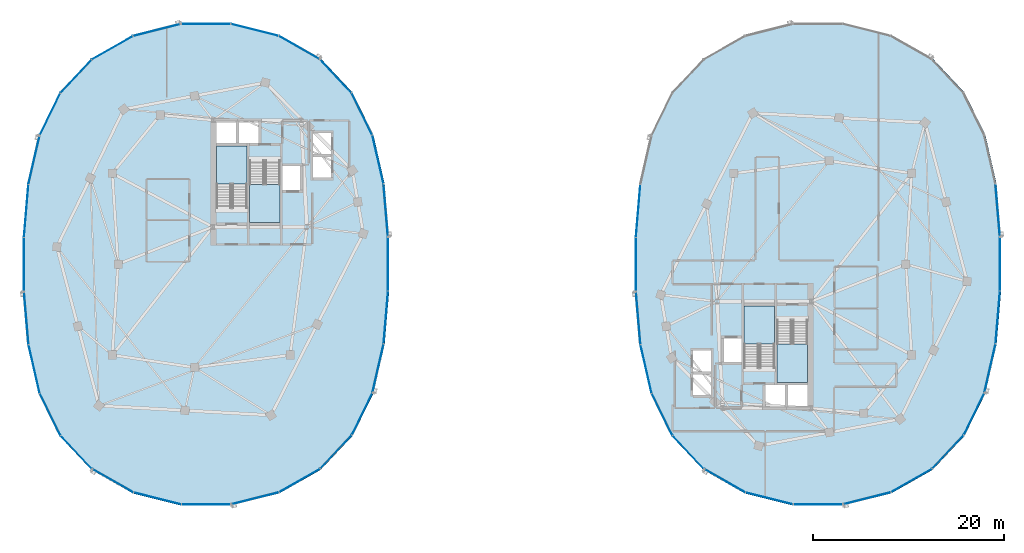
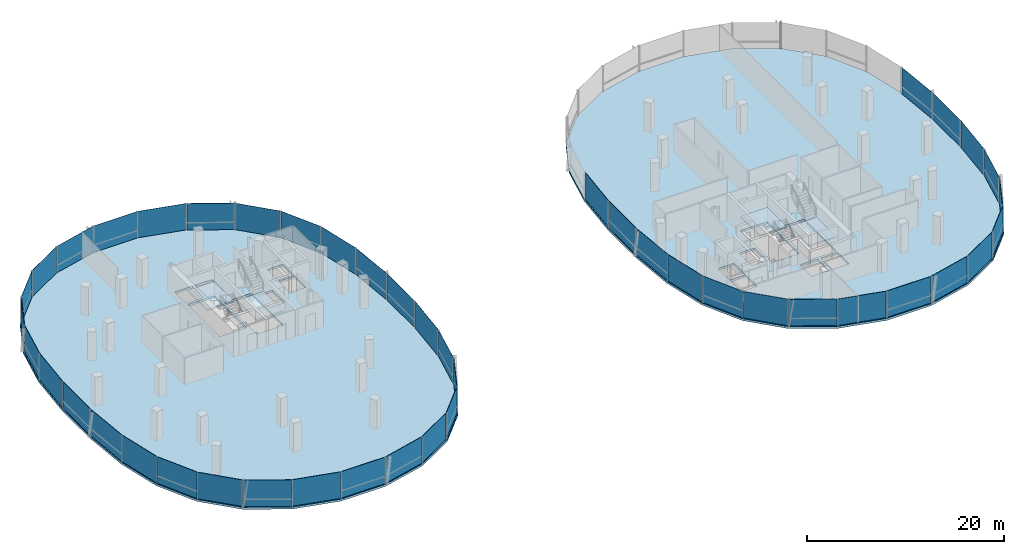
# One storey, part 13 of 24: 45 plates, 6 slabs, 12 elements without a shape of their own.
"""IFC4 building model written with IfcOpenShell, lengths in metres."""

from ifc_helpers import new_model, si_unit, direction, frame, origin, origin_2d, place, context, subcontext, project, spatial, polyline, rectangle, outline, extrude, material, layer, layer_set, type_object, element, aggregate, save


model = new_model("IFC4")

# Units and contexts
model_context = context("Model", 3, precision=1e-05, world=origin(), true_north=direction((0.0, 1.0)))
body_context = subcontext(model_context, "Body", "Model", "MODEL_VIEW")
ifc_project = project(units=[si_unit("LENGTHUNIT", "METRE"), si_unit("AREAUNIT", "SQUARE_METRE"), si_unit("VOLUMEUNIT", "CUBIC_METRE"), si_unit("PLANEANGLEUNIT", "RADIAN"), si_unit("MASSUNIT", "GRAM", prefix="KILO"), si_unit("THERMODYNAMICTEMPERATUREUNIT", "KELVIN"), si_unit("POWERUNIT", "WATT")], contexts=[model_context])

# Site, building, storey
site_placement = place(None, origin())
site = spatial("IfcSite", under=ifc_project, at=site_placement, CompositionType="ELEMENT")
building_placement = place(site_placement, origin())
building = spatial("IfcBuilding", under=site, at=building_placement, Name="Cundina Bronze Exchange", CompositionType="ELEMENT")
storey_placement = place(building_placement, frame((0.0, 0.0, 231.39990234375)))
storey = spatial("IfcBuildingStorey", under=building, at=storey_placement, Name="L61", CompositionType="ELEMENT", Elevation=231.39990234375)

# Curtain wall, plates
ifc_material_1 = material(Name="Anodised Bronze Aluminium 6063-T6", Category="aluminium")
curtain_wall_type = type_object("IfcCurtainWallType", Name="CWS-UPP-OFF", PredefinedType="NOTDEFINED", material=ifc_material_1)
curtain_wall_1_placement = place(storey_placement, origin())
curtain_wall_1 = element("IfcCurtainWall", 1, at=curtain_wall_1_placement, inside=storey, type_object=curtain_wall_type, Name="L61 CW-05 Curtain Wall Run CWR-L61-W1", PredefinedType="NOTDEFINED")
ifc_material_2 = material(Name="Heat-Strengthened Solar-Control Bronze Safety Glass 28mm", Category="glass")
ifc_layer_1 = layer(ifc_material_2, 0.028076171875, Name="Heat-Strengthened Solar-Control Bronze Safety Glass 28mm", Category="glass")
ifc_layer_set_1 = layer_set([ifc_layer_1], Name="Heat-Strengthened Solar-Control Bronze Safety Glass 28mm")
plate_type_1 = type_object("IfcPlateType", Name="PLT-GLZ-VIS28", PredefinedType="CURTAIN_PANEL", material=ifc_layer_set_1)
plate_1_placement = place(storey_placement, frame((-13.198486328125, 5.60693359375, 0.02001953125), z_axis=(0.0, 0.0, 1.0), x_axis=(-0.083747411454, 0.996487015006, 0.0)))
plate_1 = element("IfcPlate", 2, at=plate_1_placement, type_object=plate_type_1, Name="CW-05 Glazed Panel 1", PredefinedType="CURTAIN_PANEL", context=body_context, shape_type="SweptSolid", body=[
    extrude(rectangle(XDim=5.474609375, YDim=0.028076171875, at=origin_2d()), origin(), (0.0, 0.0, 1.0), 3.280029296875),
])
plate_2_placement = place(storey_placement, frame((-14.01611328125, 10.92578125, 0.02001953125), z_axis=(0.0, 0.0, 1.0), x_axis=(-0.223284141459, 0.974753400698, 0.0)))
plate_2 = element("IfcPlate", 3, at=plate_2_placement, type_object=plate_type_1, Name="CW-05 Glazed Panel 2", PredefinedType="CURTAIN_PANEL", context=body_context, shape_type="SweptSolid", body=[
    extrude(rectangle(XDim=5.167724609375, YDim=0.028076171875, at=origin_2d()), origin(), (0.0, 0.0, 1.0), 3.280029296875),
])
plate_3_placement = place(storey_placement, frame((-15.685302734375, 15.686767578125, 0.02001953125), z_axis=(0.0, 0.0, 1.0), x_axis=(-0.440503330345, 0.897750976582, 0.0)))
plate_3 = element("IfcPlate", 4, at=plate_3_placement, type_object=plate_type_1, Name="CW-05 Glazed Panel 3", PredefinedType="CURTAIN_PANEL", context=body_context, shape_type="SweptSolid", body=[
    extrude(rectangle(XDim=4.863525390625, YDim=0.028076171875, at=origin_2d()), origin(), (0.0, 0.0, 1.0), 3.280029296875),
])
plate_4_placement = place(storey_placement, frame((-22.230712890625, 22.64111328125, 0.02001953125), z_axis=(0.0, 0.0, 1.0), x_axis=(-0.869572506985, 0.493805280547, 0.0)))
plate_4 = element("IfcPlate", 5, at=plate_4_placement, type_object=plate_type_1, Name="CW-05 Glazed Panel 5", PredefinedType="CURTAIN_PANEL", context=body_context, shape_type="SweptSolid", body=[
    extrude(rectangle(XDim=4.907958984375, YDim=0.028076171875, at=origin_2d()), origin(), (0.0, 0.0, 1.0), 3.280029296875),
])
plate_5_placement = place(storey_placement, frame((-26.88720703125, 24.49609375, 0.02001953125), z_axis=(0.0, 0.0, 1.0), x_axis=(-0.969731542251, 0.244173577528, 0.0)))
plate_5 = element("IfcPlate", 6, at=plate_5_placement, type_object=plate_type_1, Name="CW-05 Glazed Panel 6", PredefinedType="CURTAIN_PANEL", context=body_context, shape_type="SweptSolid", body=[
    extrude(rectangle(XDim=5.0908203125, YDim=0.028076171875, at=origin_2d()), origin(), (0.0, 0.0, 1.0), 3.280029296875),
])
plate_6_placement = place(storey_placement, frame((-32.0, 25.125, 0.02001953125), z_axis=(0.0, 0.0, 1.0), x_axis=(-1.0, 0.0, 0.0)))
plate_6 = element("IfcPlate", 7, at=plate_6_placement, type_object=plate_type_1, Name="CW-05 Glazed Panel 7", PredefinedType="CURTAIN_PANEL", context=body_context, shape_type="SweptSolid", body=[
    extrude(rectangle(XDim=5.16796875, YDim=0.028076171875, at=origin_2d()), origin(), (0.0, 0.0, 1.0), 3.280029296875),
])

curtain_wall_2_placement = place(storey_placement, origin())
curtain_wall_2 = element("IfcCurtainWall", 8, at=curtain_wall_2_placement, inside=storey, type_object=curtain_wall_type, Name="L61 CW-05 Curtain Wall Run CWR-L61-W2", PredefinedType="NOTDEFINED")
plate_7_placement = place(storey_placement, frame((-37.11279296875, 24.49609375, 0.02001953125), z_axis=(0.0, 0.0, 1.0), x_axis=(-0.969731542251, -0.244173577528, 0.0)))
plate_7 = element("IfcPlate", 9, at=plate_7_placement, type_object=plate_type_1, Name="CW-05 Glazed Panel 1", PredefinedType="CURTAIN_PANEL", context=body_context, shape_type="SweptSolid", body=[
    extrude(rectangle(XDim=5.0908203125, YDim=0.028076171875, at=origin_2d()), origin(), (0.0, 0.0, 1.0), 3.280029296875),
])
plate_8_placement = place(storey_placement, frame((-41.769287109375, 22.64111328125, 0.02001953125), z_axis=(0.0, 0.0, 1.0), x_axis=(-0.869572506985, -0.493805280547, 0.0)))
plate_8 = element("IfcPlate", 10, at=plate_8_placement, type_object=plate_type_1, Name="CW-05 Glazed Panel 2", PredefinedType="CURTAIN_PANEL", context=body_context, shape_type="SweptSolid", body=[
    extrude(rectangle(XDim=4.907958984375, YDim=0.028076171875, at=origin_2d()), origin(), (0.0, 0.0, 1.0), 3.280029296875),
])
plate_9_placement = place(storey_placement, frame((-48.314697265625, 15.686767578125, 0.02001953125), z_axis=(0.0, 0.0, 1.0), x_axis=(-0.440503330345, -0.897750976582, 0.0)))
plate_9 = element("IfcPlate", 11, at=plate_9_placement, type_object=plate_type_1, Name="CW-05 Glazed Panel 4", PredefinedType="CURTAIN_PANEL", context=body_context, shape_type="SweptSolid", body=[
    extrude(rectangle(XDim=4.863525390625, YDim=0.028076171875, at=origin_2d()), origin(), (0.0, 0.0, 1.0), 3.280029296875),
])
plate_10_placement = place(storey_placement, frame((-49.98388671875, 10.92578125, 0.02001953125), z_axis=(0.0, 0.0, 1.0), x_axis=(-0.223284141459, -0.974753400698, 0.0)))
plate_10 = element("IfcPlate", 12, at=plate_10_placement, type_object=plate_type_1, Name="CW-05 Glazed Panel 5", PredefinedType="CURTAIN_PANEL", context=body_context, shape_type="SweptSolid", body=[
    extrude(rectangle(XDim=5.167724609375, YDim=0.028076171875, at=origin_2d()), origin(), (0.0, 0.0, 1.0), 3.280029296875),
])
plate_11_placement = place(storey_placement, frame((-50.801513671875, 5.60693359375, 0.02001953125), z_axis=(0.0, 0.0, 1.0), x_axis=(-0.083747411454, -0.996487015006, 0.0)))
plate_11 = element("IfcPlate", 13, at=plate_11_placement, type_object=plate_type_1, Name="CW-05 Glazed Panel 6", PredefinedType="CURTAIN_PANEL", context=body_context, shape_type="SweptSolid", body=[
    extrude(rectangle(XDim=5.474609375, YDim=0.028076171875, at=origin_2d()), origin(), (0.0, 0.0, 1.0), 3.280029296875),
])
plate_12_placement = place(storey_placement, frame((-51.033935546875, 0.0, 0.02001953125), z_axis=(0.0, 0.0, 1.0), x_axis=(0.0, -1.0, 0.0)))
plate_12 = element("IfcPlate", 14, at=plate_12_placement, type_object=plate_type_1, Name="CW-05 Glazed Panel 7", PredefinedType="CURTAIN_PANEL", context=body_context, shape_type="SweptSolid", body=[
    extrude(rectangle(XDim=5.597900390625, YDim=0.028076171875, at=origin_2d()), origin(), (0.0, 0.0, 1.0), 3.280029296875),
])

curtain_wall_3_placement = place(storey_placement, origin())
curtain_wall_3 = element("IfcCurtainWall", 15, at=curtain_wall_3_placement, inside=storey, type_object=curtain_wall_type, Name="L61 CW-05 Curtain Wall Run CWR-L61-W3", PredefinedType="NOTDEFINED")
plate_13_placement = place(storey_placement, frame((-50.801513671875, -5.60693359375, 0.02001953125), z_axis=(0.0, 0.0, 1.0), x_axis=(0.083747411454, -0.996487015006, 0.0)))
plate_13 = element("IfcPlate", 16, at=plate_13_placement, type_object=plate_type_1, Name="CW-05 Glazed Panel 1", PredefinedType="CURTAIN_PANEL", context=body_context, shape_type="SweptSolid", body=[
    extrude(rectangle(XDim=5.474609375, YDim=0.028076171875, at=origin_2d()), origin(), (0.0, 0.0, 1.0), 3.280029296875),
])
plate_14_placement = place(storey_placement, frame((-48.314697265625, -15.686767578125, 0.02001953125), z_axis=(0.0, 0.0, 1.0), x_axis=(0.440503330345, -0.897750976582, 0.0)))
plate_14 = element("IfcPlate", 17, at=plate_14_placement, type_object=plate_type_1, Name="CW-05 Glazed Panel 3", PredefinedType="CURTAIN_PANEL", context=body_context, shape_type="SweptSolid", body=[
    extrude(rectangle(XDim=4.863525390625, YDim=0.028076171875, at=origin_2d()), origin(), (0.0, 0.0, 1.0), 3.280029296875),
])
plate_15_placement = place(storey_placement, frame((-45.5791015625, -19.6552734375, 0.02001953125), z_axis=(0.0, 0.0, 1.0), x_axis=(0.684343512797, -0.72915976061, 0.0)))
plate_15 = element("IfcPlate", 18, at=plate_15_placement, type_object=plate_type_1, Name="CW-05 Glazed Panel 4", PredefinedType="CURTAIN_PANEL", context=body_context, shape_type="SweptSolid", body=[
    extrude(rectangle(XDim=4.773193359375, YDim=0.028076171875, at=origin_2d()), origin(), (0.0, 0.0, 1.0), 3.280029296875),
])
plate_16_placement = place(storey_placement, frame((-41.769287109375, -22.64111328125, 0.02001953125), z_axis=(0.0, 0.0, 1.0), x_axis=(0.869572506985, -0.493805280547, 0.0)))
plate_16 = element("IfcPlate", 19, at=plate_16_placement, type_object=plate_type_1, Name="CW-05 Glazed Panel 5", PredefinedType="CURTAIN_PANEL", context=body_context, shape_type="SweptSolid", body=[
    extrude(rectangle(XDim=4.907958984375, YDim=0.028076171875, at=origin_2d()), origin(), (0.0, 0.0, 1.0), 3.280029296875),
])
plate_17_placement = place(storey_placement, frame((-37.11279296875, -24.49609375, 0.02001953125), z_axis=(0.0, 0.0, 1.0), x_axis=(0.969731542251, -0.244173577528, 0.0)))
plate_17 = element("IfcPlate", 20, at=plate_17_placement, type_object=plate_type_1, Name="CW-05 Glazed Panel 6", PredefinedType="CURTAIN_PANEL", context=body_context, shape_type="SweptSolid", body=[
    extrude(rectangle(XDim=5.0908203125, YDim=0.028076171875, at=origin_2d()), origin(), (0.0, 0.0, 1.0), 3.280029296875),
])

curtain_wall_4_placement = place(storey_placement, origin())
curtain_wall_4 = element("IfcCurtainWall", 21, at=curtain_wall_4_placement, inside=storey, type_object=curtain_wall_type, Name="L61 CW-05 Curtain Wall Run CWR-L61-W4", PredefinedType="NOTDEFINED")
plate_18_placement = place(storey_placement, frame((-22.230712890625, -22.64111328125, 0.02001953125), z_axis=(0.0, 0.0, 1.0), x_axis=(0.869572506985, 0.493805280547, 0.0)))
plate_18 = element("IfcPlate", 22, at=plate_18_placement, type_object=plate_type_1, Name="CW-05 Glazed Panel 2", PredefinedType="CURTAIN_PANEL", context=body_context, shape_type="SweptSolid", body=[
    extrude(rectangle(XDim=4.907958984375, YDim=0.028076171875, at=origin_2d()), origin(), (0.0, 0.0, 1.0), 3.280029296875),
])
plate_19_placement = place(storey_placement, frame((-18.4208984375, -19.6552734375, 0.02001953125), z_axis=(0.0, 0.0, 1.0), x_axis=(0.684343512797, 0.72915976061, 0.0)))
plate_19 = element("IfcPlate", 23, at=plate_19_placement, type_object=plate_type_1, Name="CW-05 Glazed Panel 3", PredefinedType="CURTAIN_PANEL", context=body_context, shape_type="SweptSolid", body=[
    extrude(rectangle(XDim=4.773193359375, YDim=0.028076171875, at=origin_2d()), origin(), (0.0, 0.0, 1.0), 3.280029296875),
])
plate_20_placement = place(storey_placement, frame((-15.685302734375, -15.686767578125, 0.02001953125), z_axis=(0.0, 0.0, 1.0), x_axis=(0.440503330345, 0.897750976582, 0.0)))
plate_20 = element("IfcPlate", 24, at=plate_20_placement, type_object=plate_type_1, Name="CW-05 Glazed Panel 4", PredefinedType="CURTAIN_PANEL", context=body_context, shape_type="SweptSolid", body=[
    extrude(rectangle(XDim=4.863525390625, YDim=0.028076171875, at=origin_2d()), origin(), (0.0, 0.0, 1.0), 3.280029296875),
])
plate_21_placement = place(storey_placement, frame((-14.01611328125, -10.92578125, 0.02001953125), z_axis=(0.0, 0.0, 1.0), x_axis=(0.223284141459, 0.974753400698, 0.0)))
plate_21 = element("IfcPlate", 25, at=plate_21_placement, type_object=plate_type_1, Name="CW-05 Glazed Panel 5", PredefinedType="CURTAIN_PANEL", context=body_context, shape_type="SweptSolid", body=[
    extrude(rectangle(XDim=5.167724609375, YDim=0.028076171875, at=origin_2d()), origin(), (0.0, 0.0, 1.0), 3.280029296875),
])
plate_22_placement = place(storey_placement, frame((-12.966064453125, 0.0, 0.02001953125), z_axis=(0.0, 0.0, 1.0), x_axis=(0.0, 1.0, 0.0)))
plate_22 = element("IfcPlate", 26, at=plate_22_placement, type_object=plate_type_1, Name="CW-05 Glazed Panel 7", PredefinedType="CURTAIN_PANEL", context=body_context, shape_type="SweptSolid", body=[
    extrude(rectangle(XDim=5.597900390625, YDim=0.028076171875, at=origin_2d()), origin(), (0.0, 0.0, 1.0), 3.280029296875),
])

# Curtain wall, plate
curtain_wall_5_placement = place(storey_placement, origin())
curtain_wall_5 = element("IfcCurtainWall", 27, at=curtain_wall_5_placement, inside=storey, type_object=curtain_wall_type, Name="L61 CW-05 Curtain Wall Run CWR-L61-E1", PredefinedType="NOTDEFINED")
plate_23_placement = place(storey_placement, frame((50.801513671875, 5.60693359375, 0.02001953125), z_axis=(0.0, 0.0, 1.0), x_axis=(-0.083747411454, 0.996487015006, 0.0)))
plate_23 = element("IfcPlate", 28, at=plate_23_placement, type_object=plate_type_1, Name="CW-05 Glazed Panel 1", PredefinedType="CURTAIN_PANEL", context=body_context, shape_type="SweptSolid", body=[
    extrude(rectangle(XDim=5.474609375, YDim=0.028076171875, at=origin_2d()), origin(), (0.0, 0.0, 1.0), 3.280029296875),
])
aggregate(curtain_wall_5, [plate_23])

# Curtain wall, plates
curtain_wall_6_placement = place(storey_placement, origin())
curtain_wall_6 = element("IfcCurtainWall", 29, at=curtain_wall_6_placement, inside=storey, type_object=curtain_wall_type, Name="L61 CW-05 Curtain Wall Run CWR-L61-E2", PredefinedType="NOTDEFINED")
plate_24_placement = place(storey_placement, frame((13.198486328125, 5.60693359375, 0.02001953125), z_axis=(0.0, 0.0, 1.0), x_axis=(-0.083747411454, -0.996487015006, 0.0)))
plate_24 = element("IfcPlate", 30, at=plate_24_placement, type_object=plate_type_1, Name="CW-05 Glazed Panel 6", PredefinedType="CURTAIN_PANEL", context=body_context, shape_type="SweptSolid", body=[
    extrude(rectangle(XDim=5.474609375, YDim=0.028076171875, at=origin_2d()), origin(), (0.0, 0.0, 1.0), 3.280029296875),
])
plate_25_placement = place(storey_placement, frame((12.966064453125, 0.0, 0.02001953125), z_axis=(0.0, 0.0, 1.0), x_axis=(0.0, -1.0, 0.0)))
plate_25 = element("IfcPlate", 31, at=plate_25_placement, type_object=plate_type_1, Name="CW-05 Glazed Panel 7", PredefinedType="CURTAIN_PANEL", context=body_context, shape_type="SweptSolid", body=[
    extrude(rectangle(XDim=5.597900390625, YDim=0.028076171875, at=origin_2d()), origin(), (0.0, 0.0, 1.0), 3.280029296875),
])
aggregate(curtain_wall_6, [plate_24, plate_25])

curtain_wall_7_placement = place(storey_placement, origin())
curtain_wall_7 = element("IfcCurtainWall", 32, at=curtain_wall_7_placement, inside=storey, type_object=curtain_wall_type, Name="L61 CW-05 Curtain Wall Run CWR-L61-E3", PredefinedType="NOTDEFINED")
plate_26_placement = place(storey_placement, frame((13.198486328125, -5.60693359375, 0.02001953125), z_axis=(0.0, 0.0, 1.0), x_axis=(0.083747411454, -0.996487015006, 0.0)))
plate_26 = element("IfcPlate", 33, at=plate_26_placement, type_object=plate_type_1, Name="CW-05 Glazed Panel 1", PredefinedType="CURTAIN_PANEL", context=body_context, shape_type="SweptSolid", body=[
    extrude(rectangle(XDim=5.474609375, YDim=0.028076171875, at=origin_2d()), origin(), (0.0, 0.0, 1.0), 3.280029296875),
])
plate_27_placement = place(storey_placement, frame((15.685302734375, -15.686767578125, 0.02001953125), z_axis=(0.0, 0.0, 1.0), x_axis=(0.440503330345, -0.897750976582, 0.0)))
plate_27 = element("IfcPlate", 34, at=plate_27_placement, type_object=plate_type_1, Name="CW-05 Glazed Panel 3", PredefinedType="CURTAIN_PANEL", context=body_context, shape_type="SweptSolid", body=[
    extrude(rectangle(XDim=4.863525390625, YDim=0.028076171875, at=origin_2d()), origin(), (0.0, 0.0, 1.0), 3.280029296875),
])
plate_28_placement = place(storey_placement, frame((18.4208984375, -19.6552734375, 0.02001953125), z_axis=(0.0, 0.0, 1.0), x_axis=(0.684343512797, -0.72915976061, 0.0)))
plate_28 = element("IfcPlate", 35, at=plate_28_placement, type_object=plate_type_1, Name="CW-05 Glazed Panel 4", PredefinedType="CURTAIN_PANEL", context=body_context, shape_type="SweptSolid", body=[
    extrude(rectangle(XDim=4.773193359375, YDim=0.028076171875, at=origin_2d()), origin(), (0.0, 0.0, 1.0), 3.280029296875),
])
plate_29_placement = place(storey_placement, frame((22.230712890625, -22.64111328125, 0.02001953125), z_axis=(0.0, 0.0, 1.0), x_axis=(0.869572506985, -0.493805280547, 0.0)))
plate_29 = element("IfcPlate", 36, at=plate_29_placement, type_object=plate_type_1, Name="CW-05 Glazed Panel 5", PredefinedType="CURTAIN_PANEL", context=body_context, shape_type="SweptSolid", body=[
    extrude(rectangle(XDim=4.907958984375, YDim=0.028076171875, at=origin_2d()), origin(), (0.0, 0.0, 1.0), 3.280029296875),
])
plate_30_placement = place(storey_placement, frame((26.88720703125, -24.49609375, 0.02001953125), z_axis=(0.0, 0.0, 1.0), x_axis=(0.969731542251, -0.244173577528, 0.0)))
plate_30 = element("IfcPlate", 37, at=plate_30_placement, type_object=plate_type_1, Name="CW-05 Glazed Panel 6", PredefinedType="CURTAIN_PANEL", context=body_context, shape_type="SweptSolid", body=[
    extrude(rectangle(XDim=5.0908203125, YDim=0.028076171875, at=origin_2d()), origin(), (0.0, 0.0, 1.0), 3.280029296875),
])

curtain_wall_8_placement = place(storey_placement, origin())
curtain_wall_8 = element("IfcCurtainWall", 38, at=curtain_wall_8_placement, inside=storey, type_object=curtain_wall_type, Name="L61 CW-05 Curtain Wall Run CWR-L61-E4", PredefinedType="NOTDEFINED")
plate_31_placement = place(storey_placement, frame((41.769287109375, -22.64111328125, 0.02001953125), z_axis=(0.0, 0.0, 1.0), x_axis=(0.869572506985, 0.493805280547, 0.0)))
plate_31 = element("IfcPlate", 39, at=plate_31_placement, type_object=plate_type_1, Name="CW-05 Glazed Panel 2", PredefinedType="CURTAIN_PANEL", context=body_context, shape_type="SweptSolid", body=[
    extrude(rectangle(XDim=4.907958984375, YDim=0.028076171875, at=origin_2d()), origin(), (0.0, 0.0, 1.0), 3.280029296875),
])
plate_32_placement = place(storey_placement, frame((45.5791015625, -19.6552734375, 0.02001953125), z_axis=(0.0, 0.0, 1.0), x_axis=(0.684343512797, 0.72915976061, 0.0)))
plate_32 = element("IfcPlate", 40, at=plate_32_placement, type_object=plate_type_1, Name="CW-05 Glazed Panel 3", PredefinedType="CURTAIN_PANEL", context=body_context, shape_type="SweptSolid", body=[
    extrude(rectangle(XDim=4.773193359375, YDim=0.028076171875, at=origin_2d()), origin(), (0.0, 0.0, 1.0), 3.280029296875),
])
plate_33_placement = place(storey_placement, frame((48.314697265625, -15.686767578125, 0.02001953125), z_axis=(0.0, 0.0, 1.0), x_axis=(0.440503330345, 0.897750976582, 0.0)))
plate_33 = element("IfcPlate", 41, at=plate_33_placement, type_object=plate_type_1, Name="CW-05 Glazed Panel 4", PredefinedType="CURTAIN_PANEL", context=body_context, shape_type="SweptSolid", body=[
    extrude(rectangle(XDim=4.863525390625, YDim=0.028076171875, at=origin_2d()), origin(), (0.0, 0.0, 1.0), 3.280029296875),
])
plate_34_placement = place(storey_placement, frame((49.98388671875, -10.92578125, 0.02001953125), z_axis=(0.0, 0.0, 1.0), x_axis=(0.223284141459, 0.974753400698, 0.0)))
plate_34 = element("IfcPlate", 42, at=plate_34_placement, type_object=plate_type_1, Name="CW-05 Glazed Panel 5", PredefinedType="CURTAIN_PANEL", context=body_context, shape_type="SweptSolid", body=[
    extrude(rectangle(XDim=5.167724609375, YDim=0.028076171875, at=origin_2d()), origin(), (0.0, 0.0, 1.0), 3.280029296875),
])
plate_35_placement = place(storey_placement, frame((51.033935546875, 0.0, 0.02001953125), z_axis=(0.0, 0.0, 1.0), x_axis=(0.0, 1.0, 0.0)))
plate_35 = element("IfcPlate", 43, at=plate_35_placement, type_object=plate_type_1, Name="CW-05 Glazed Panel 7", PredefinedType="CURTAIN_PANEL", context=body_context, shape_type="SweptSolid", body=[
    extrude(rectangle(XDim=5.597900390625, YDim=0.028076171875, at=origin_2d()), origin(), (0.0, 0.0, 1.0), 3.280029296875),
])

# Plate
ifc_material_3 = material(Name="Dark Bronze Spandrel Glass Panel 32mm", Category="glass")
ifc_layer_2 = layer(ifc_material_3, 0.031982421875, Name="Dark Bronze Spandrel Glass Panel 32mm", Category="glass")
ifc_layer_set_2 = layer_set([ifc_layer_2], Name="Dark Bronze Spandrel Glass Panel 32mm")
plate_type_2 = type_object("IfcPlateType", Name="PLT-SPN-BRZ32", PredefinedType="CURTAIN_PANEL", material=ifc_layer_set_2)
plate_36_placement = place(storey_placement, frame((-18.4208984375, 19.6552734375, 0.02001953125), z_axis=(0.0, 0.0, 1.0), x_axis=(-0.684343512797, 0.72915976061, 0.0)))
plate_36 = element("IfcPlate", 44, at=plate_36_placement, type_object=plate_type_2, Name="CW-05 Glazed Panel 4", PredefinedType="CURTAIN_PANEL", context=body_context, shape_type="SweptSolid", body=[
    extrude(rectangle(XDim=4.773193359375, YDim=0.031982421875, at=origin_2d()), origin(), (0.0, 0.0, 1.0), 3.280029296875),
])

aggregate(curtain_wall_1, [plate_1, plate_2, plate_3, plate_36, plate_4, plate_5, plate_6])

plate_37_placement = place(storey_placement, frame((-45.5791015625, 19.6552734375, 0.02001953125), z_axis=(0.0, 0.0, 1.0), x_axis=(-0.684343512797, -0.72915976061, 0.0)))
plate_37 = element("IfcPlate", 45, at=plate_37_placement, type_object=plate_type_2, Name="CW-05 Glazed Panel 3", PredefinedType="CURTAIN_PANEL", context=body_context, shape_type="SweptSolid", body=[
    extrude(rectangle(XDim=4.773193359375, YDim=0.031982421875, at=origin_2d()), origin(), (0.0, 0.0, 1.0), 3.280029296875),
])

aggregate(curtain_wall_2, [plate_7, plate_8, plate_37, plate_9, plate_10, plate_11, plate_12])

plate_38_placement = place(storey_placement, frame((-49.98388671875, -10.92578125, 0.02001953125), z_axis=(0.0, 0.0, 1.0), x_axis=(0.223284141459, -0.974753400698, 0.0)))
plate_38 = element("IfcPlate", 46, at=plate_38_placement, type_object=plate_type_2, Name="CW-05 Glazed Panel 2", PredefinedType="CURTAIN_PANEL", context=body_context, shape_type="SweptSolid", body=[
    extrude(rectangle(XDim=5.167724609375, YDim=0.031982421875, at=origin_2d()), origin(), (0.0, 0.0, 1.0), 3.280029296875),
])

plate_39_placement = place(storey_placement, frame((-32.0, -25.125, 0.02001953125), z_axis=(0.0, 0.0, 1.0), x_axis=(1.0, 0.0, 0.0)))
plate_39 = element("IfcPlate", 47, at=plate_39_placement, type_object=plate_type_2, Name="CW-05 Glazed Panel 7", PredefinedType="CURTAIN_PANEL", context=body_context, shape_type="SweptSolid", body=[
    extrude(rectangle(XDim=5.16796875, YDim=0.031982421875, at=origin_2d()), origin(), (0.0, 0.0, 1.0), 3.280029296875),
])

aggregate(curtain_wall_3, [plate_13, plate_38, plate_14, plate_15, plate_16, plate_17, plate_39])

plate_40_placement = place(storey_placement, frame((-26.88720703125, -24.49609375, 0.02001953125), z_axis=(0.0, 0.0, 1.0), x_axis=(0.969731542251, 0.244173577528, 0.0)))
plate_40 = element("IfcPlate", 48, at=plate_40_placement, type_object=plate_type_2, Name="CW-05 Glazed Panel 1", PredefinedType="CURTAIN_PANEL", context=body_context, shape_type="SweptSolid", body=[
    extrude(rectangle(XDim=5.0908203125, YDim=0.031982421875, at=origin_2d()), origin(), (0.0, 0.0, 1.0), 3.280029296875),
])

plate_41_placement = place(storey_placement, frame((-13.198486328125, -5.60693359375, 0.02001953125), z_axis=(0.0, 0.0, 1.0), x_axis=(0.083747411454, 0.996487015006, 0.0)))
plate_41 = element("IfcPlate", 49, at=plate_41_placement, type_object=plate_type_2, Name="CW-05 Glazed Panel 6", PredefinedType="CURTAIN_PANEL", context=body_context, shape_type="SweptSolid", body=[
    extrude(rectangle(XDim=5.474609375, YDim=0.031982421875, at=origin_2d()), origin(), (0.0, 0.0, 1.0), 3.280029296875),
])

aggregate(curtain_wall_4, [plate_40, plate_18, plate_19, plate_20, plate_21, plate_41, plate_22])

plate_42_placement = place(storey_placement, frame((14.01611328125, -10.92578125, 0.02001953125), z_axis=(0.0, 0.0, 1.0), x_axis=(0.223284141459, -0.974753400698, 0.0)))
plate_42 = element("IfcPlate", 50, at=plate_42_placement, type_object=plate_type_2, Name="CW-05 Glazed Panel 2", PredefinedType="CURTAIN_PANEL", context=body_context, shape_type="SweptSolid", body=[
    extrude(rectangle(XDim=5.167724609375, YDim=0.031982421875, at=origin_2d()), origin(), (0.0, 0.0, 1.0), 3.280029296875),
])

plate_43_placement = place(storey_placement, frame((32.0, -25.125, 0.02001953125), z_axis=(0.0, 0.0, 1.0), x_axis=(1.0, 0.0, 0.0)))
plate_43 = element("IfcPlate", 51, at=plate_43_placement, type_object=plate_type_2, Name="CW-05 Glazed Panel 7", PredefinedType="CURTAIN_PANEL", context=body_context, shape_type="SweptSolid", body=[
    extrude(rectangle(XDim=5.16796875, YDim=0.031982421875, at=origin_2d()), origin(), (0.0, 0.0, 1.0), 3.280029296875),
])

aggregate(curtain_wall_7, [plate_26, plate_42, plate_27, plate_28, plate_29, plate_30, plate_43])

plate_44_placement = place(storey_placement, frame((37.11279296875, -24.49609375, 0.02001953125), z_axis=(0.0, 0.0, 1.0), x_axis=(0.969731542251, 0.244173577528, 0.0)))
plate_44 = element("IfcPlate", 52, at=plate_44_placement, type_object=plate_type_2, Name="CW-05 Glazed Panel 1", PredefinedType="CURTAIN_PANEL", context=body_context, shape_type="SweptSolid", body=[
    extrude(rectangle(XDim=5.0908203125, YDim=0.031982421875, at=origin_2d()), origin(), (0.0, 0.0, 1.0), 3.280029296875),
])

plate_45_placement = place(storey_placement, frame((50.801513671875, -5.60693359375, 0.02001953125), z_axis=(0.0, 0.0, 1.0), x_axis=(0.083747411454, 0.996487015006, 0.0)))
plate_45 = element("IfcPlate", 53, at=plate_45_placement, type_object=plate_type_2, Name="CW-05 Glazed Panel 6", PredefinedType="CURTAIN_PANEL", context=body_context, shape_type="SweptSolid", body=[
    extrude(rectangle(XDim=5.474609375, YDim=0.031982421875, at=origin_2d()), origin(), (0.0, 0.0, 1.0), 3.280029296875),
])

aggregate(curtain_wall_8, [plate_44, plate_31, plate_32, plate_33, plate_34, plate_45, plate_35])

# Stair, slab
ifc_material_4 = material(Name="Concrete C40/50", Category="concrete")
stair_type = type_object("IfcStairType", Name="STR-OFF-360", PredefinedType="HALF_TURN_STAIR", material=ifc_material_4)
stair_1_placement = place(storey_placement, origin())
stair_1 = element("IfcStair", 54, at=stair_1_placement, inside=storey, type_object=stair_type, Name="L61 Smokeproof Exit Stair W1", PredefinedType="HALF_TURN_STAIR")
ifc_layer_3 = layer(ifc_material_4, 0.199951171875, Name="Concrete C40/50", Category="concrete")
ifc_layer_set_3 = layer_set([ifc_layer_3], Name="Concrete C40/50")
slab_type_1 = type_object("IfcSlabType", Name="SLB-LND-200", PredefinedType="LANDING", material=ifc_layer_set_3)
slab_1_placement = place(storey_placement, frame((0.0, 0.0, 1.60009765625)))
slab_1 = element("IfcSlab", 55, at=slab_1_placement, type_object=slab_type_1, Name="ST-W1 landing 1", PredefinedType="LANDING", context=body_context, shape_type="SweptSolid", body=[
    extrude(outline(polyline([(-27.739990234375, 8.3701171875), (-27.739990234375, 12.35009765625), (-30.89990234375, 12.35009765625), (-30.89990234375, 8.3701171875), (-27.739990234375, 8.3701171875)])), origin(), (0.0, 0.0, 1.0), 0.199951171875),
])
aggregate(stair_1, [slab_1])

stair_2_placement = place(storey_placement, origin())
stair_2 = element("IfcStair", 56, at=stair_2_placement, inside=storey, type_object=stair_type, Name="L61 Smokeproof Exit Stair W2", PredefinedType="HALF_TURN_STAIR")
slab_2_placement = place(storey_placement, frame((0.0, 0.0, 1.60009765625)))
slab_2 = element("IfcSlab", 57, at=slab_2_placement, type_object=slab_type_1, Name="ST-W2 landing 1", PredefinedType="LANDING", context=body_context, shape_type="SweptSolid", body=[
    extrude(outline(polyline([(-27.43994140625, 8.330078125), (-27.43994140625, 4.35009765625), (-24.280029296875, 4.35009765625), (-24.280029296875, 8.330078125), (-27.43994140625, 8.330078125)])), origin(), (0.0, 0.0, 1.0), 0.199951171875),
])
aggregate(stair_2, [slab_2])

stair_3_placement = place(storey_placement, origin())
stair_3 = element("IfcStair", 58, at=stair_3_placement, inside=storey, type_object=stair_type, Name="L61 Smokeproof Exit Stair E1", PredefinedType="HALF_TURN_STAIR")
slab_3_placement = place(storey_placement, frame((0.0, 0.0, 1.60009765625)))
slab_3 = element("IfcSlab", 59, at=slab_3_placement, type_object=slab_type_1, Name="ST-E1 landing 1", PredefinedType="LANDING", context=body_context, shape_type="SweptSolid", body=[
    extrude(outline(polyline([(27.739990234375, -8.3701171875), (27.739990234375, -12.35009765625), (30.89990234375, -12.35009765625), (30.89990234375, -8.3701171875), (27.739990234375, -8.3701171875)])), origin(), (0.0, 0.0, 1.0), 0.199951171875),
])
aggregate(stair_3, [slab_3])

stair_4_placement = place(storey_placement, origin())
stair_4 = element("IfcStair", 60, at=stair_4_placement, inside=storey, type_object=stair_type, Name="L61 Smokeproof Exit Stair E2", PredefinedType="HALF_TURN_STAIR")
slab_4_placement = place(storey_placement, frame((0.0, 0.0, 1.60009765625)))
slab_4 = element("IfcSlab", 61, at=slab_4_placement, type_object=slab_type_1, Name="ST-E2 landing 1", PredefinedType="LANDING", context=body_context, shape_type="SweptSolid", body=[
    extrude(outline(polyline([(27.43994140625, -8.330078125), (27.43994140625, -4.35009765625), (24.280029296875, -4.35009765625), (24.280029296875, -8.330078125), (27.43994140625, -8.330078125)])), origin(), (0.0, 0.0, 1.0), 0.199951171875),
])
aggregate(stair_4, [slab_4])

# Slabs
ifc_material_5 = material(Name="Concrete C50/60", Category="concrete")
ifc_layer_4 = layer(ifc_material_5, 0.260009765625, Name="Concrete C50/60", Category="concrete")
ifc_layer_set_4 = layer_set([ifc_layer_4], Name="Concrete C50/60")
slab_type_2 = type_object("IfcSlabType", Name="SLB-OFF-260", PredefinedType="FLOOR", material=ifc_layer_set_4)
slab_5_placement = place(storey_placement, frame((0.0, 0.0, -0.260009765625)))
element("IfcSlab", 62, at=slab_5_placement, inside=storey, type_object=slab_type_2, Name="L61 Leg W Structural Floor Slab", PredefinedType="FLOOR", context=body_context, shape_type="SweptSolid", body=[
    extrude(outline(polyline([(-12.85107421875, 2.843994140625), (-13.31689453125, 8.388916015625), (-14.490966796875, 13.513916015625), (-16.673095703125, 17.9609375), (-20.0009765625, 21.507080078125), (-24.346923828125, 23.97509765625), (-29.37109375, 25.239990234375), (-34.62890625, 25.239990234375), (-39.653076171875, 23.97509765625), (-43.9990234375, 21.507080078125), (-47.326904296875, 17.9609375), (-49.509033203125, 13.513916015625), (-50.68310546875, 8.388916015625), (-51.14892578125, 2.843994140625), (-51.14892578125, -2.843994140625), (-50.68310546875, -8.388916015625), (-49.509033203125, -13.513916015625), (-47.326904296875, -17.9609375), (-43.9990234375, -21.507080078125), (-39.653076171875, -23.97509765625), (-34.62890625, -25.239990234375), (-29.37109375, -25.239990234375), (-24.346923828125, -23.97509765625), (-20.0009765625, -21.507080078125), (-16.673095703125, -17.9609375), (-14.490966796875, -13.513916015625), (-13.31689453125, -8.388916015625), (-12.85107421875, -2.843994140625), (-12.85107421875, 2.843994140625)]), holes=[polyline([(-27.739990234375, 5.85009765625), (-27.739990234375, 12.35009765625), (-30.89990234375, 12.35009765625), (-30.89990234375, 5.85009765625), (-27.739990234375, 5.85009765625)]), polyline([(-27.43994140625, 10.85009765625), (-27.43994140625, 4.35009765625), (-24.280029296875, 4.35009765625), (-24.280029296875, 10.85009765625), (-27.43994140625, 10.85009765625)]), polyline([(-23.97998046875, 10.25), (-22.179931640625, 10.25), (-22.179931640625, 7.75), (-23.97998046875, 7.75), (-23.97998046875, 10.25)]), polyline([(-30.89990234375, 14.949951171875), (-28.85009765625, 14.949951171875), (-28.85009765625, 12.64990234375), (-30.89990234375, 12.64990234375), (-30.89990234375, 14.949951171875)]), polyline([(-28.550048828125, 14.949951171875), (-26.5, 14.949951171875), (-26.5, 12.64990234375), (-28.550048828125, 12.64990234375), (-28.550048828125, 14.949951171875)]), polyline([(-20.800048828125, 13.699951171875), (-18.949951171875, 13.699951171875), (-18.949951171875, 11.449951171875), (-20.800048828125, 11.449951171875), (-20.800048828125, 13.699951171875)]), polyline([(-20.800048828125, 11.300048828125), (-18.949951171875, 11.300048828125), (-18.949951171875, 9.050048828125), (-20.800048828125, 9.050048828125), (-20.800048828125, 11.300048828125)])]), origin(), (0.0, 0.0, 1.0), 0.260009765625),
])
slab_6_placement = place(storey_placement, frame((0.0, 0.0, -0.260009765625)))
element("IfcSlab", 63, at=slab_6_placement, inside=storey, type_object=slab_type_2, Name="L61 Leg E Structural Floor Slab", PredefinedType="FLOOR", context=body_context, shape_type="SweptSolid", body=[
    extrude(outline(polyline([(51.14892578125, 2.843994140625), (50.68310546875, 8.388916015625), (49.509033203125, 13.513916015625), (47.326904296875, 17.9609375), (43.9990234375, 21.507080078125), (39.653076171875, 23.97509765625), (34.62890625, 25.239990234375), (29.37109375, 25.239990234375), (24.346923828125, 23.97509765625), (20.0009765625, 21.507080078125), (16.673095703125, 17.9609375), (14.490966796875, 13.513916015625), (13.31689453125, 8.388916015625), (12.85107421875, 2.843994140625), (12.85107421875, -2.843994140625), (13.31689453125, -8.388916015625), (14.490966796875, -13.513916015625), (16.673095703125, -17.9609375), (20.0009765625, -21.507080078125), (24.346923828125, -23.97509765625), (29.37109375, -25.239990234375), (34.62890625, -25.239990234375), (39.653076171875, -23.97509765625), (43.9990234375, -21.507080078125), (47.326904296875, -17.9609375), (49.509033203125, -13.513916015625), (50.68310546875, -8.388916015625), (51.14892578125, -2.843994140625), (51.14892578125, 2.843994140625)]), holes=[polyline([(27.739990234375, -5.85009765625), (27.739990234375, -12.35009765625), (30.89990234375, -12.35009765625), (30.89990234375, -5.85009765625), (27.739990234375, -5.85009765625)]), polyline([(27.43994140625, -10.85009765625), (27.43994140625, -4.35009765625), (24.280029296875, -4.35009765625), (24.280029296875, -10.85009765625), (27.43994140625, -10.85009765625)]), polyline([(22.179931640625, -7.75), (23.97998046875, -7.75), (23.97998046875, -10.25), (22.179931640625, -10.25), (22.179931640625, -7.75)]), polyline([(28.85009765625, -12.64990234375), (30.89990234375, -12.64990234375), (30.89990234375, -14.949951171875), (28.85009765625, -14.949951171875), (28.85009765625, -12.64990234375)]), polyline([(26.5, -12.64990234375), (28.550048828125, -12.64990234375), (28.550048828125, -14.949951171875), (26.5, -14.949951171875), (26.5, -12.64990234375)]), polyline([(18.949951171875, -11.449951171875), (20.800048828125, -11.449951171875), (20.800048828125, -13.699951171875), (18.949951171875, -13.699951171875), (18.949951171875, -11.449951171875)]), polyline([(18.949951171875, -9.050048828125), (20.800048828125, -9.050048828125), (20.800048828125, -11.300048828125), (18.949951171875, -11.300048828125), (18.949951171875, -9.050048828125)])]), origin(), (0.0, 0.0, 1.0), 0.260009765625),
])

save(model, "model.ifc")
